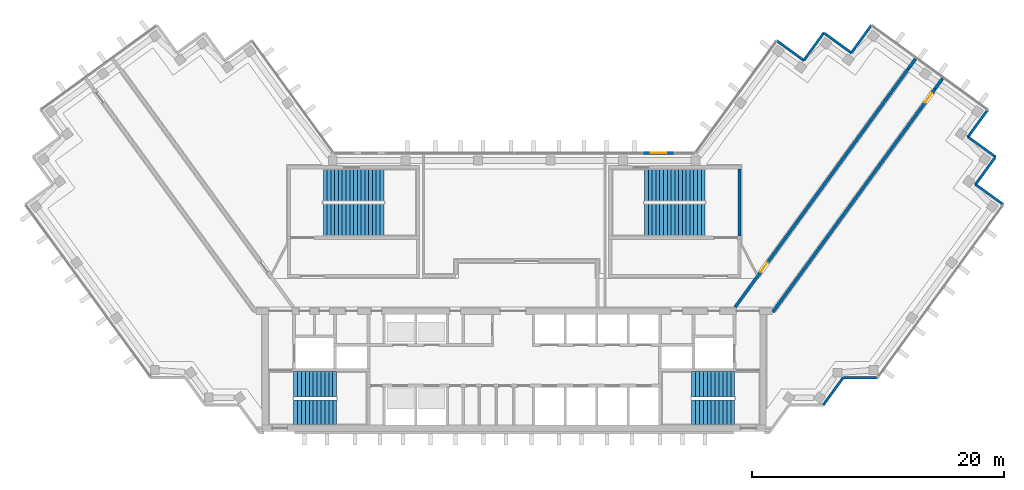
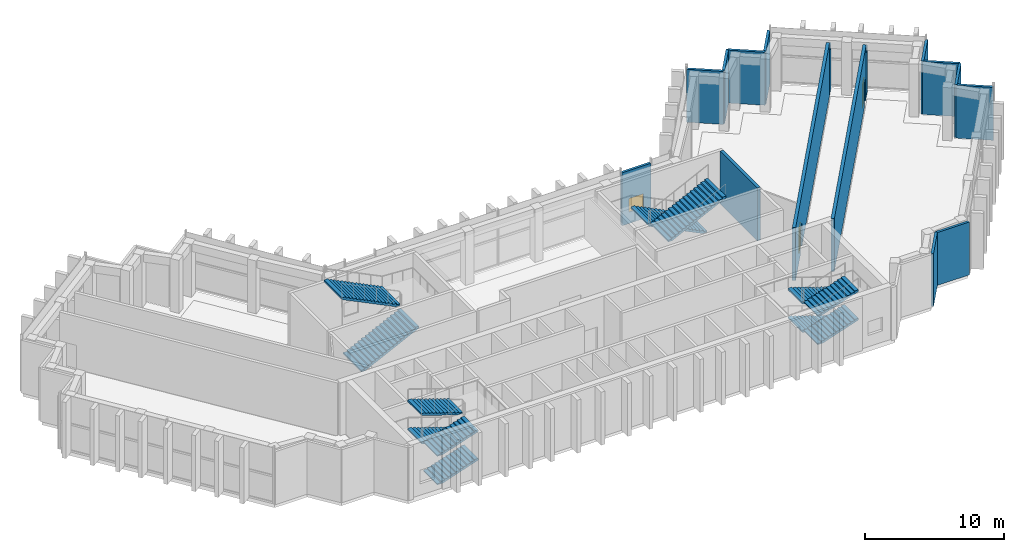
# One storey, part 11 of 14: 16 walls, 12 stair flights, 2 doors, 1 window, 3 openings, 4 elements without a shape of their own.
"""IFC4 building model written with IfcOpenShell, lengths in metres."""

from ifc_helpers import new_model, si_unit, direction, frame, frame_2d, origin, place, context, subcontext, project, spatial, polyline, rectangle, outline, extrude, material, layer, layer_set, type_object, element, fill, aggregate, save


model = new_model("IFC4")

# Units and contexts
model_context = context("Model", 3, precision=1e-05, world=origin(), true_north=direction((0.0, 1.0)))
body_context = subcontext(model_context, "Body", "Model", "MODEL_VIEW")
ifc_project = project(units=[si_unit("LENGTHUNIT", "METRE"), si_unit("AREAUNIT", "SQUARE_METRE"), si_unit("VOLUMEUNIT", "CUBIC_METRE"), si_unit("PLANEANGLEUNIT", "RADIAN"), si_unit("MASSUNIT", "GRAM", prefix="KILO")], contexts=[model_context])

# Site, building, storey
site_placement = place(None, origin())
site = spatial("IfcSite", under=ifc_project, at=site_placement, CompositionType="ELEMENT")
building_placement = place(site_placement, origin())
building = spatial("IfcBuilding", under=site, at=building_placement, Name="Quipu Civic Tower", CompositionType="ELEMENT")
storey_placement = place(building_placement, frame((0.0, 0.0, 248.0)))
storey = spatial("IfcBuildingStorey", under=building, at=storey_placement, Name="L58", CompositionType="ELEMENT", Elevation=248.0)

# Wall
ifc_material_1 = material(Name="Concrete C70/85", Category="concrete")
ifc_layer_1 = layer(ifc_material_1, 0.25)
ifc_layer_set_1 = layer_set([ifc_layer_1], Name="Concrete C70/85")
wall_type_1 = type_object("IfcWallType", Name="Core wall 250", PredefinedType="SHEAR", material=ifc_layer_set_1)
wall_1_placement = place(storey_placement, frame((17.875, 4.5, 0.0), z_axis=(0.0, 0.0, 1.0), x_axis=(0.0, 1.0, 0.0)))
element("IfcWall", 1, at=wall_1_placement, inside=storey, type_object=wall_type_1, Name="Core wall", PredefinedType="SHEAR", context=body_context, shape_type="SweptSolid", body=[
    extrude(rectangle(XDim=5.35009765625, YDim=0.25, at=frame_2d((2.675048828125, 0.0))), origin(), (0.0, 0.0, 1.0), 4.64990234375),
])

# Wall, opening, door
ifc_material_2 = material(Name="Concrete C50/60", Category="concrete")
ifc_layer_2 = layer(ifc_material_2, 0.25)
ifc_layer_set_2 = layer_set([ifc_layer_2], Name="Concrete C50/60")
wall_type_2 = type_object("IfcWallType", Name="Corridor wall 250 concrete", PredefinedType="SOLIDWALL", material=ifc_layer_set_2)
wall_2_placement = place(storey_placement, frame((17.544921875, -1.124755859375, 0.0), z_axis=(0.0, 0.0, 1.0), x_axis=(0.587787966774, 0.809015022181, 0.0)))
wall_2 = element("IfcWall", 2, at=wall_2_placement, inside=storey, type_object=wall_type_2, Name="Corridor wall C02", PredefinedType="SOLIDWALL", context=body_context, shape_type="SweptSolid", body=[
    extrude(rectangle(XDim=23.344970703125, YDim=0.25, at=frame_2d((11.67236328125, 0.0))), origin(), (0.0, 0.0, 1.0), 4.64990234375),
])
opening_1_placement = place(wall_2_placement, frame((3.44140625, 0.0, 0.0)))
opening_1 = element("IfcOpeningElement", 3, at=opening_1_placement, cuts=wall_2, Name="Opening D001", PredefinedType="OPENING", context=body_context, shape_type="SweptSolid", body=[
    extrude(rectangle(XDim=0.89990234375, YDim=2.10009765625, at=frame_2d((0.449951171875, 1.050048828125))), frame((0.0, 0.135009765625, 0.0), z_axis=(0.0, -1.0, 0.0), x_axis=(1.0, 0.0, 0.0)), (0.0, 0.0, 1.0), 0.27001953125),
])
ifc_material_3 = material(Name="Fire rated timber door set with metal frame", Category="wood")
door_type = type_object("IfcDoorType", Name="Single door 900 x 2100 FD60", OperationType="NOTDEFINED", PredefinedType="DOOR", material=ifc_material_3)
door_1_placement = place(opening_1_placement, origin())
door_1 = element("IfcDoor", 4, at=door_1_placement, inside=storey, type_object=door_type, Name="Door D001", OperationType="SINGLE_SWING_LEFT", OverallHeight=2.10009765625, OverallWidth=0.89990234375, PredefinedType="DOOR", context=body_context, shape_type="SweptSolid", body=[
    extrude(rectangle(XDim=0.89990234375, YDim=2.10009765625, at=frame_2d((0.449951171875, 1.050048828125))), frame((0.0, 0.02490234375, 0.0), z_axis=(0.0, -1.0, 0.0), x_axis=(1.0, 0.0, 0.0)), (0.0, 0.0, 1.0), 0.050048828125),
])
fill(opening_1, door_1)

wall_3_placement = place(storey_placement, frame((33.41015625, 16.203125, 0.0), z_axis=(0.0, 0.0, 1.0), x_axis=(-0.587786711753, -0.809015934013, 0.0)))
wall_3 = element("IfcWall", 5, at=wall_3_placement, inside=storey, type_object=wall_type_2, Name="Corridor wall C03", PredefinedType="SOLIDWALL", context=body_context, shape_type="SweptSolid", body=[
    extrude(rectangle(XDim=21.911376953125, YDim=0.25, at=frame_2d((10.95556640625, 0.0))), origin(), (0.0, 0.0, 1.0), 4.64990234375),
])
opening_2_placement = place(wall_3_placement, frame((0.440673828125, 0.0, 0.0)))
opening_2 = element("IfcOpeningElement", 6, at=opening_2_placement, cuts=wall_3, Name="Opening D002", PredefinedType="OPENING", context=body_context, shape_type="SweptSolid", body=[
    extrude(rectangle(XDim=0.89990234375, YDim=2.10009765625, at=frame_2d((0.449951171875, 1.050048828125))), frame((0.0, 0.135009765625, 0.0), z_axis=(0.0, -1.0, 0.0), x_axis=(1.0, 0.0, 0.0)), (0.0, 0.0, 1.0), 0.27001953125),
])
door_2_placement = place(opening_2_placement, origin())
door_2 = element("IfcDoor", 7, at=door_2_placement, inside=storey, type_object=door_type, Name="Door D002", OperationType="SINGLE_SWING_LEFT", OverallHeight=2.10009765625, OverallWidth=0.89990234375, PredefinedType="DOOR", context=body_context, shape_type="SweptSolid", body=[
    extrude(rectangle(XDim=0.89990234375, YDim=2.10009765625, at=frame_2d((0.449951171875, 1.050048828125))), frame((0.0, 0.02490234375, 0.0), z_axis=(0.0, -1.0, 0.0), x_axis=(1.0, 0.0, 0.0)), (0.0, 0.0, 1.0), 0.050048828125),
])
fill(opening_2, door_2)

# Walls
wall_4_placement = place(storey_placement, frame((31.266845703125, 17.76171875, 0.0), z_axis=(0.0, 0.0, 1.0), x_axis=(0.587840411638, 0.808976915892, 0.0)))
element("IfcWall", 8, at=wall_4_placement, inside=storey, type_object=wall_type_2, Name="Corridor wall C02", PredefinedType="SOLIDWALL", context=body_context, shape_type="SweptSolid", body=[
    extrude(rectangle(XDim=1.008056640625, YDim=0.25, at=frame_2d((0.50390625, 0.0))), origin(), (0.0, 0.0, 1.0), 3.949951171875),
])
wall_5_placement = place(storey_placement, frame((33.41015625, 16.203125, 0.0), z_axis=(0.0, 0.0, 1.0), x_axis=(0.587696850957, 0.809081214326, 0.0)))
element("IfcWall", 9, at=wall_5_placement, inside=storey, type_object=wall_type_2, Name="Corridor wall C03", PredefinedType="SOLIDWALL", context=body_context, shape_type="SweptSolid", body=[
    extrude(rectangle(XDim=1.009033203125, YDim=0.25, at=frame_2d((0.50439453125, 0.0))), origin(), (0.0, 0.0, 1.0), 3.949951171875),
])
ifc_material_4 = material(Name="Precast concrete C40/50", Category="concrete")
wall_type_3 = type_object("IfcWallType", Name="Precast cladding wall", PredefinedType="SOLIDWALL", material=ifc_material_4)
wall_6_placement = place(storey_placement, frame((24.533203125, -8.90869140625, 0.0), z_axis=(0.0, 0.0, 1.0), x_axis=(0.587720002413, 0.809064397168, 0.0)))
element("IfcWall", 10, at=wall_6_placement, inside=storey, type_object=wall_type_3, Name="Precast cladding wall L58 21", PredefinedType="SOLIDWALL", context=body_context, shape_type="SweptSolid", body=[
    extrude(rectangle(XDim=2.7001953125, YDim=0.199951171875, at=frame_2d((1.35009765625, 0.0))), origin(), (0.0, 0.0, 1.0), 4.64990234375),
])
for number, where, z_axis, x_axis, name in (
    (11, (26.1298828125, -6.71923828125, 0.0), (0.0, 0.0, 1.0), (1.0, 0.0, 0.0), "Precast cladding wall L58 22"),
    (12, (38.813720703125, 7.010498046875, 0.0), (0.0, 0.0, 1.0), (-0.809033161865, 0.587762999008, 0.0), "Precast cladding wall L58 24"),
    (13, (36.60205078125, 8.580322265625, 0.0), (0.0, 0.0, 1.0), (0.587822180636, 0.808990163075, 0.0), "Precast cladding wall L58 25"),
    (14, (38.21630859375, 10.78173828125, 0.0), (0.0, 0.0, 1.0), (-0.809033161865, 0.587762999008, 0.0), "Precast cladding wall L58 26"),
    (15, (36.0048828125, 12.3515625, 0.0), (0.0, 0.0, 1.0), (0.587762999008, 0.809033161865, 0.0), "Precast cladding wall L58 27"),
):
    element("IfcWall", number, at=place(storey_placement, frame(where, z_axis=z_axis, x_axis=x_axis)), inside=storey, type_object=wall_type_3, Name=name, PredefinedType="SOLIDWALL", context=body_context, shape_type="SweptSolid", body=[
        extrude(rectangle(XDim=2.699951171875, YDim=0.199951171875, at=frame_2d((1.35009765625, 0.0))), origin(), (0.0, 0.0, 1.0), 4.64990234375),
    ])
for number, where, z_axis, x_axis, name in (
    (16, (28.3544921875, 21.247314453125, 0.0), (0.0, 0.0, 1.0), (-0.587720002413, -0.809064397168, 0.0), "Precast cladding wall L58 29"),
    (17, (26.78466796875, 19.03564453125, 0.0), (0.0, 0.0, 1.0), (-0.809064397168, 0.587720002413, 0.0), "Precast cladding wall L58 30"),
):
    element("IfcWall", number, at=place(storey_placement, frame(where, z_axis=z_axis, x_axis=x_axis)), inside=storey, type_object=wall_type_3, Name=name, PredefinedType="SOLIDWALL", context=body_context, shape_type="SweptSolid", body=[
        extrude(rectangle(XDim=2.7001953125, YDim=0.199951171875, at=frame_2d((1.35009765625, 0.0))), origin(), (0.0, 0.0, 1.0), 4.64990234375),
    ])
for number, where, z_axis, x_axis, name in (
    (18, (24.583251953125, 20.64990234375, 0.0), (0.0, 0.0, 1.0), (-0.587762999008, -0.809033161865, 0.0), "Precast cladding wall L58 31"),
    (19, (23.01318359375, 18.438232421875, 0.0), (0.0, 0.0, 1.0), (-0.808990163075, 0.587822180636, 0.0), "Precast cladding wall L58 32"),
):
    element("IfcWall", number, at=place(storey_placement, frame(where, z_axis=z_axis, x_axis=x_axis)), inside=storey, type_object=wall_type_3, Name=name, PredefinedType="SOLIDWALL", context=body_context, shape_type="SweptSolid", body=[
        extrude(rectangle(XDim=2.699951171875, YDim=0.199951171875, at=frame_2d((1.35009765625, 0.0))), origin(), (0.0, 0.0, 1.0), 4.64990234375),
    ])

# Wall, opening, window
wall_7_placement = place(storey_placement, frame((12.655029296875, 11.10009765625, 0.0), z_axis=(0.0, 0.0, 1.0), x_axis=(-1.0, 0.0, 0.0)))
wall_7 = element("IfcWall", 20, at=wall_7_placement, inside=storey, type_object=wall_type_3, Name="Vent surround SF-L58-2", PredefinedType="SOLIDWALL", context=body_context, shape_type="SweptSolid", body=[
    extrude(rectangle(XDim=2.3916015625, YDim=0.199951171875, at=frame_2d((1.19580078125, 0.0))), origin(), (0.0, 0.0, 1.0), 4.64990234375),
])
opening_3_placement = place(wall_7_placement, frame((0.595703125, 0.0, 1.0)))
opening_3 = element("IfcOpeningElement", 21, at=opening_3_placement, cuts=wall_7, Name="Opening SF-L58-2", PredefinedType="OPENING", context=body_context, shape_type="SweptSolid", body=[
    extrude(rectangle(XDim=1.199951171875, YDim=1.199951171875, at=frame_2d((0.60009765625, 0.60009765625))), frame((0.0, 0.10986328125, 0.0), z_axis=(0.0, -1.0, 0.0), x_axis=(1.0, 0.0, 0.0)), (0.0, 0.0, 1.0), 0.219970703125),
])
ifc_material_5 = material(Name="Anodised aluminium louvre", Category="aluminium")
window_type = type_object("IfcWindowType", Name="Stair vent louvre window P3", PartitioningType="SINGLE_PANEL", PredefinedType="WINDOW", material=ifc_material_5)
window_placement = place(opening_3_placement, origin())
window = element("IfcWindow", 22, at=window_placement, inside=storey, type_object=window_type, Name="Stair vent louvre SF-L58-2", OverallHeight=1.199951171875, OverallWidth=1.199951171875, PartitioningType="SINGLE_PANEL", PredefinedType="WINDOW", context=body_context, shape_type="SweptSolid", body=[
    extrude(rectangle(XDim=1.199951171875, YDim=1.199951171875, at=frame_2d((0.60009765625, 0.60009765625))), frame((0.0, 0.030029296875, 0.0), z_axis=(0.0, -1.0, 0.0), x_axis=(1.0, 0.0, 0.0)), (0.0, 0.0, 1.0), 0.06005859375),
])
fill(opening_3, window)

# Stair, stair flights
ifc_material_6 = material(Name="Concrete C40/50", Category="concrete")
stair_type_1 = type_object("IfcStairType", Name="Half turn stair 2000", PredefinedType="HALF_TURN_STAIR", material=ifc_material_6)
stair_1_placement = place(storey_placement, origin())
stair_1 = element("IfcStair", 23, at=stair_1_placement, inside=storey, type_object=stair_type_1, Name="Exit stair 1", PredefinedType="HALF_TURN_STAIR")
ifc_material_7 = material(Name="Concrete C40/50", Category="concrete")
stair_flight_type_1 = type_object("IfcStairFlightType", Name="Stair flight 2000", PredefinedType="STRAIGHT", material=ifc_material_7)
stair_flight_1_placement = place(storey_placement, frame((-17.5, -9.5, 0.0), z_axis=(0.0, 0.0, 1.0), x_axis=(1.0, 0.0, 0.0)))
stair_flight_1 = element("IfcStairFlight", 24, at=stair_flight_1_placement, type_object=stair_flight_type_1, Name="ST-1 flight 1", NumberOfRisers=12, NumberOfTreads=11, PredefinedType="STRAIGHT", RiserHeight=0.104166667, TreadLength=0.31, context=body_context, shape_type="SweptSolid", body=[
    extrude(outline(polyline([(0.0, 0.0), (0.0, 0.104248046875), (0.31005859375, 0.104248046875), (0.31005859375, 0.208251953125), (0.6201171875, 0.208251953125), (0.6201171875, 0.3125), (0.929931640625, 0.3125), (0.929931640625, 0.416748046875), (1.239990234375, 0.416748046875), (1.239990234375, 0.520751953125), (1.550048828125, 0.520751953125), (1.550048828125, 0.625), (1.860107421875, 0.625), (1.860107421875, 0.729248046875), (2.169921875, 0.729248046875), (2.169921875, 0.833251953125), (2.47998046875, 0.833251953125), (2.47998046875, 0.9375), (2.7900390625, 0.9375), (2.7900390625, 1.041748046875), (3.10009765625, 1.041748046875), (3.10009765625, 1.145751953125), (3.409912109375, 1.145751953125), (3.409912109375, 1.25), (3.409912109375, 0.98779296875), (0.470703125, 0.0), (0.0, 0.0)])), frame((0.0, 1.0, 0.0), z_axis=(0.0, -1.0, 0.0), x_axis=(1.0, 0.0, 0.0)), (0.0, 0.0, 1.0), 2.0),
])
stair_flight_2_placement = place(storey_placement, frame((-14.090087890625, -7.25, 1.25), z_axis=(0.0, 0.0, 1.0), x_axis=(-1.0, 0.0, 0.0)))
stair_flight_2 = element("IfcStairFlight", 25, at=stair_flight_2_placement, type_object=stair_flight_type_1, Name="ST-1 flight 2", NumberOfRisers=12, NumberOfTreads=11, PredefinedType="STRAIGHT", RiserHeight=0.104166667, TreadLength=0.31, context=body_context, shape_type="SweptSolid", body=[
    extrude(outline(polyline([(0.0, 0.0), (0.0, 0.104248046875), (0.31005859375, 0.104248046875), (0.31005859375, 0.208251953125), (0.6201171875, 0.208251953125), (0.6201171875, 0.3125), (0.929931640625, 0.3125), (0.929931640625, 0.416748046875), (1.239990234375, 0.416748046875), (1.239990234375, 0.520751953125), (1.550048828125, 0.520751953125), (1.550048828125, 0.625), (1.860107421875, 0.625), (1.860107421875, 0.729248046875), (2.169921875, 0.729248046875), (2.169921875, 0.833251953125), (2.47998046875, 0.833251953125), (2.47998046875, 0.9375), (2.7900390625, 0.9375), (2.7900390625, 1.041748046875), (3.10009765625, 1.041748046875), (3.10009765625, 1.145751953125), (3.409912109375, 1.145751953125), (3.409912109375, 1.25), (3.409912109375, 0.98779296875), (0.470703125, 0.0), (0.0, 0.0)])), frame((0.0, 1.0, 0.0), z_axis=(0.0, -1.0, 0.0), x_axis=(1.0, 0.0, 0.0)), (0.0, 0.0, 1.0), 2.0),
])
stair_flight_3_placement = place(storey_placement, frame((-17.5, -9.5, 2.5), z_axis=(0.0, 0.0, 1.0), x_axis=(1.0, 0.0, 0.0)))
stair_flight_3 = element("IfcStairFlight", 26, at=stair_flight_3_placement, type_object=stair_flight_type_1, Name="ST-1 flight 3", NumberOfRisers=12, NumberOfTreads=11, PredefinedType="STRAIGHT", RiserHeight=0.104166667, TreadLength=0.31, context=body_context, shape_type="SweptSolid", body=[
    extrude(outline(polyline([(0.0, 0.0), (0.0, 0.104248046875), (0.31005859375, 0.104248046875), (0.31005859375, 0.208251953125), (0.6201171875, 0.208251953125), (0.6201171875, 0.3125), (0.929931640625, 0.3125), (0.929931640625, 0.416748046875), (1.239990234375, 0.416748046875), (1.239990234375, 0.520751953125), (1.550048828125, 0.520751953125), (1.550048828125, 0.625), (1.860107421875, 0.625), (1.860107421875, 0.729248046875), (2.169921875, 0.729248046875), (2.169921875, 0.833251953125), (2.47998046875, 0.833251953125), (2.47998046875, 0.9375), (2.7900390625, 0.9375), (2.7900390625, 1.041748046875), (3.10009765625, 1.041748046875), (3.10009765625, 1.145751953125), (3.409912109375, 1.145751953125), (3.409912109375, 1.25), (3.409912109375, 0.98779296875), (0.470703125, 0.0), (0.0, 0.0)])), frame((0.0, 1.0, 0.0), z_axis=(0.0, -1.0, 0.0), x_axis=(1.0, 0.0, 0.0)), (0.0, 0.0, 1.0), 2.0),
])
stair_flight_4_placement = place(storey_placement, frame((-14.090087890625, -7.25, 3.75), z_axis=(0.0, 0.0, 1.0), x_axis=(-1.0, 0.0, 0.0)))
stair_flight_4 = element("IfcStairFlight", 27, at=stair_flight_4_placement, type_object=stair_flight_type_1, Name="ST-1 flight 4", NumberOfRisers=12, NumberOfTreads=11, PredefinedType="STRAIGHT", RiserHeight=0.104166667, TreadLength=0.31, context=body_context, shape_type="SweptSolid", body=[
    extrude(outline(polyline([(0.0, 0.0), (0.0, 0.104248046875), (0.31005859375, 0.104248046875), (0.31005859375, 0.208251953125), (0.6201171875, 0.208251953125), (0.6201171875, 0.3125), (0.929931640625, 0.3125), (0.929931640625, 0.416748046875), (1.239990234375, 0.416748046875), (1.239990234375, 0.520751953125), (1.550048828125, 0.520751953125), (1.550048828125, 0.625), (1.860107421875, 0.625), (1.860107421875, 0.729248046875), (2.169921875, 0.729248046875), (2.169921875, 0.833251953125), (2.47998046875, 0.833251953125), (2.47998046875, 0.9375), (2.7900390625, 0.9375), (2.7900390625, 1.041748046875), (3.10009765625, 1.041748046875), (3.10009765625, 1.145751953125), (3.409912109375, 1.145751953125), (3.409912109375, 1.25), (3.409912109375, 0.98779296875), (0.470703125, 0.0), (0.0, 0.0)])), frame((0.0, 1.0, 0.0), z_axis=(0.0, -1.0, 0.0), x_axis=(1.0, 0.0, 0.0)), (0.0, 0.0, 1.0), 2.0),
])
aggregate(stair_1, [stair_flight_1, stair_flight_2, stair_flight_3, stair_flight_4])

stair_2_placement = place(storey_placement, origin())
stair_2 = element("IfcStair", 28, at=stair_2_placement, inside=storey, type_object=stair_type_1, Name="Exit stair 2", PredefinedType="HALF_TURN_STAIR")
stair_flight_5_placement = place(storey_placement, frame((17.5, -7.25, 0.0), z_axis=(0.0, 0.0, 1.0), x_axis=(-1.0, 0.0, 0.0)))
stair_flight_5 = element("IfcStairFlight", 29, at=stair_flight_5_placement, type_object=stair_flight_type_1, Name="ST-2 flight 1", NumberOfRisers=12, NumberOfTreads=11, PredefinedType="STRAIGHT", RiserHeight=0.104166667, TreadLength=0.31, context=body_context, shape_type="SweptSolid", body=[
    extrude(outline(polyline([(0.0, 0.0), (0.0, 0.104248046875), (0.31005859375, 0.104248046875), (0.31005859375, 0.208251953125), (0.6201171875, 0.208251953125), (0.6201171875, 0.3125), (0.929931640625, 0.3125), (0.929931640625, 0.416748046875), (1.239990234375, 0.416748046875), (1.239990234375, 0.520751953125), (1.550048828125, 0.520751953125), (1.550048828125, 0.625), (1.860107421875, 0.625), (1.860107421875, 0.729248046875), (2.169921875, 0.729248046875), (2.169921875, 0.833251953125), (2.47998046875, 0.833251953125), (2.47998046875, 0.9375), (2.7900390625, 0.9375), (2.7900390625, 1.041748046875), (3.10009765625, 1.041748046875), (3.10009765625, 1.145751953125), (3.409912109375, 1.145751953125), (3.409912109375, 1.25), (3.409912109375, 0.98779296875), (0.470703125, 0.0), (0.0, 0.0)])), frame((0.0, 1.0, 0.0), z_axis=(0.0, -1.0, 0.0), x_axis=(1.0, 0.0, 0.0)), (0.0, 0.0, 1.0), 2.0),
])
stair_flight_6_placement = place(storey_placement, frame((14.090087890625, -9.5, 1.25), z_axis=(0.0, 0.0, 1.0), x_axis=(1.0, 0.0, 0.0)))
stair_flight_6 = element("IfcStairFlight", 30, at=stair_flight_6_placement, type_object=stair_flight_type_1, Name="ST-2 flight 2", NumberOfRisers=12, NumberOfTreads=11, PredefinedType="STRAIGHT", RiserHeight=0.104166667, TreadLength=0.31, context=body_context, shape_type="SweptSolid", body=[
    extrude(outline(polyline([(0.0, 0.0), (0.0, 0.104248046875), (0.31005859375, 0.104248046875), (0.31005859375, 0.208251953125), (0.6201171875, 0.208251953125), (0.6201171875, 0.3125), (0.929931640625, 0.3125), (0.929931640625, 0.416748046875), (1.239990234375, 0.416748046875), (1.239990234375, 0.520751953125), (1.550048828125, 0.520751953125), (1.550048828125, 0.625), (1.860107421875, 0.625), (1.860107421875, 0.729248046875), (2.169921875, 0.729248046875), (2.169921875, 0.833251953125), (2.47998046875, 0.833251953125), (2.47998046875, 0.9375), (2.7900390625, 0.9375), (2.7900390625, 1.041748046875), (3.10009765625, 1.041748046875), (3.10009765625, 1.145751953125), (3.409912109375, 1.145751953125), (3.409912109375, 1.25), (3.409912109375, 0.98779296875), (0.470703125, 0.0), (0.0, 0.0)])), frame((0.0, 1.0, 0.0), z_axis=(0.0, -1.0, 0.0), x_axis=(1.0, 0.0, 0.0)), (0.0, 0.0, 1.0), 2.0),
])
stair_flight_7_placement = place(storey_placement, frame((17.5, -7.25, 2.5), z_axis=(0.0, 0.0, 1.0), x_axis=(-1.0, 0.0, 0.0)))
stair_flight_7 = element("IfcStairFlight", 31, at=stair_flight_7_placement, type_object=stair_flight_type_1, Name="ST-2 flight 3", NumberOfRisers=12, NumberOfTreads=11, PredefinedType="STRAIGHT", RiserHeight=0.104166667, TreadLength=0.31, context=body_context, shape_type="SweptSolid", body=[
    extrude(outline(polyline([(0.0, 0.0), (0.0, 0.104248046875), (0.31005859375, 0.104248046875), (0.31005859375, 0.208251953125), (0.6201171875, 0.208251953125), (0.6201171875, 0.3125), (0.929931640625, 0.3125), (0.929931640625, 0.416748046875), (1.239990234375, 0.416748046875), (1.239990234375, 0.520751953125), (1.550048828125, 0.520751953125), (1.550048828125, 0.625), (1.860107421875, 0.625), (1.860107421875, 0.729248046875), (2.169921875, 0.729248046875), (2.169921875, 0.833251953125), (2.47998046875, 0.833251953125), (2.47998046875, 0.9375), (2.7900390625, 0.9375), (2.7900390625, 1.041748046875), (3.10009765625, 1.041748046875), (3.10009765625, 1.145751953125), (3.409912109375, 1.145751953125), (3.409912109375, 1.25), (3.409912109375, 0.98779296875), (0.470703125, 0.0), (0.0, 0.0)])), frame((0.0, 1.0, 0.0), z_axis=(0.0, -1.0, 0.0), x_axis=(1.0, 0.0, 0.0)), (0.0, 0.0, 1.0), 2.0),
])
stair_flight_8_placement = place(storey_placement, frame((14.090087890625, -9.5, 3.75), z_axis=(0.0, 0.0, 1.0), x_axis=(1.0, 0.0, 0.0)))
stair_flight_8 = element("IfcStairFlight", 32, at=stair_flight_8_placement, type_object=stair_flight_type_1, Name="ST-2 flight 4", NumberOfRisers=12, NumberOfTreads=11, PredefinedType="STRAIGHT", RiserHeight=0.104166667, TreadLength=0.31, context=body_context, shape_type="SweptSolid", body=[
    extrude(outline(polyline([(0.0, 0.0), (0.0, 0.104248046875), (0.31005859375, 0.104248046875), (0.31005859375, 0.208251953125), (0.6201171875, 0.208251953125), (0.6201171875, 0.3125), (0.929931640625, 0.3125), (0.929931640625, 0.416748046875), (1.239990234375, 0.416748046875), (1.239990234375, 0.520751953125), (1.550048828125, 0.520751953125), (1.550048828125, 0.625), (1.860107421875, 0.625), (1.860107421875, 0.729248046875), (2.169921875, 0.729248046875), (2.169921875, 0.833251953125), (2.47998046875, 0.833251953125), (2.47998046875, 0.9375), (2.7900390625, 0.9375), (2.7900390625, 1.041748046875), (3.10009765625, 1.041748046875), (3.10009765625, 1.145751953125), (3.409912109375, 1.145751953125), (3.409912109375, 1.25), (3.409912109375, 0.98779296875), (0.470703125, 0.0), (0.0, 0.0)])), frame((0.0, 1.0, 0.0), z_axis=(0.0, -1.0, 0.0), x_axis=(1.0, 0.0, 0.0)), (0.0, 0.0, 1.0), 2.0),
])
aggregate(stair_2, [stair_flight_5, stair_flight_6, stair_flight_7, stair_flight_8])

ifc_material_8 = material(Name="Concrete C40/50", Category="concrete")
stair_type_2 = type_object("IfcStairType", Name="Half turn stair 2600", PredefinedType="HALF_TURN_STAIR", material=ifc_material_8)
stair_3_placement = place(storey_placement, origin())
stair_3 = element("IfcStair", 33, at=stair_3_placement, inside=storey, type_object=stair_type_2, Name="Exit stair 3", PredefinedType="HALF_TURN_STAIR")
ifc_material_9 = material(Name="Concrete C40/50", Category="concrete")
stair_flight_type_2 = type_object("IfcStairFlightType", Name="Stair flight 2600", PredefinedType="STRAIGHT", material=ifc_material_9)
stair_flight_9_placement = place(storey_placement, frame((-15.14990234375, 5.800048828125, 0.0), z_axis=(0.0, 0.0, 1.0), x_axis=(1.0, 0.0, 0.0)))
stair_flight_9 = element("IfcStairFlight", 34, at=stair_flight_9_placement, type_object=stair_flight_type_2, Name="ST-3 flight 1", NumberOfRisers=17, NumberOfTreads=16, PredefinedType="STRAIGHT", RiserHeight=0.147058824, TreadLength=0.3, context=body_context, shape_type="SweptSolid", body=[
    extrude(outline(polyline([(0.0, 0.0), (0.0, 0.14697265625), (0.300048828125, 0.14697265625), (0.300048828125, 0.294189453125), (0.60009765625, 0.294189453125), (0.60009765625, 0.441162109375), (0.89990234375, 0.441162109375), (0.89990234375, 0.588134765625), (1.199951171875, 0.588134765625), (1.199951171875, 0.7353515625), (1.5, 0.7353515625), (1.5, 0.88232421875), (1.800048828125, 0.88232421875), (1.800048828125, 1.029296875), (2.10009765625, 1.029296875), (2.10009765625, 1.176513671875), (2.39990234375, 1.176513671875), (2.39990234375, 1.323486328125), (2.699951171875, 1.323486328125), (2.699951171875, 1.470703125), (3.0, 1.470703125), (3.0, 1.61767578125), (3.300048828125, 1.61767578125), (3.300048828125, 1.7646484375), (3.60009765625, 1.7646484375), (3.60009765625, 1.911865234375), (3.89990234375, 1.911865234375), (3.89990234375, 2.058837890625), (4.199951171875, 2.058837890625), (4.199951171875, 2.205810546875), (4.5, 2.205810546875), (4.5, 2.35302734375), (4.800048828125, 2.35302734375), (4.800048828125, 2.5), (4.800048828125, 2.18603515625), (0.340576171875, 0.0), (0.0, 0.0)])), frame((0.0, 1.300048828125, 0.0), z_axis=(0.0, -1.0, 0.0), x_axis=(1.0, 0.0, 0.0)), (0.0, 0.0, 1.0), 2.60009765625),
])
stair_flight_10_placement = place(storey_placement, frame((-10.35009765625, 8.550048828125, 2.5), z_axis=(0.0, 0.0, 1.0), x_axis=(-1.0, 0.0, 0.0)))
stair_flight_10 = element("IfcStairFlight", 35, at=stair_flight_10_placement, type_object=stair_flight_type_2, Name="ST-3 flight 2", NumberOfRisers=17, NumberOfTreads=16, PredefinedType="STRAIGHT", RiserHeight=0.147058824, TreadLength=0.3, context=body_context, shape_type="SweptSolid", body=[
    extrude(outline(polyline([(0.0, 0.0), (0.0, 0.14697265625), (0.300048828125, 0.14697265625), (0.300048828125, 0.294189453125), (0.60009765625, 0.294189453125), (0.60009765625, 0.441162109375), (0.89990234375, 0.441162109375), (0.89990234375, 0.588134765625), (1.199951171875, 0.588134765625), (1.199951171875, 0.7353515625), (1.5, 0.7353515625), (1.5, 0.88232421875), (1.800048828125, 0.88232421875), (1.800048828125, 1.029296875), (2.10009765625, 1.029296875), (2.10009765625, 1.176513671875), (2.39990234375, 1.176513671875), (2.39990234375, 1.323486328125), (2.699951171875, 1.323486328125), (2.699951171875, 1.470703125), (3.0, 1.470703125), (3.0, 1.61767578125), (3.300048828125, 1.61767578125), (3.300048828125, 1.7646484375), (3.60009765625, 1.7646484375), (3.60009765625, 1.911865234375), (3.89990234375, 1.911865234375), (3.89990234375, 2.058837890625), (4.199951171875, 2.058837890625), (4.199951171875, 2.205810546875), (4.5, 2.205810546875), (4.5, 2.35302734375), (4.800048828125, 2.35302734375), (4.800048828125, 2.5), (4.800048828125, 2.18603515625), (0.340576171875, 0.0), (0.0, 0.0)])), frame((0.0, 1.300048828125, 0.0), z_axis=(0.0, -1.0, 0.0), x_axis=(1.0, 0.0, 0.0)), (0.0, 0.0, 1.0), 2.60009765625),
])
aggregate(stair_3, [stair_flight_9, stair_flight_10])

stair_4_placement = place(storey_placement, origin())
stair_4 = element("IfcStair", 36, at=stair_4_placement, inside=storey, type_object=stair_type_2, Name="Exit stair 4", PredefinedType="HALF_TURN_STAIR")
stair_flight_11_placement = place(storey_placement, frame((15.14990234375, 8.550048828125, 0.0), z_axis=(0.0, 0.0, 1.0), x_axis=(-1.0, 0.0, 0.0)))
stair_flight_11 = element("IfcStairFlight", 37, at=stair_flight_11_placement, type_object=stair_flight_type_2, Name="ST-4 flight 1", NumberOfRisers=17, NumberOfTreads=16, PredefinedType="STRAIGHT", RiserHeight=0.147058824, TreadLength=0.3, context=body_context, shape_type="SweptSolid", body=[
    extrude(outline(polyline([(0.0, 0.0), (0.0, 0.14697265625), (0.300048828125, 0.14697265625), (0.300048828125, 0.294189453125), (0.60009765625, 0.294189453125), (0.60009765625, 0.441162109375), (0.89990234375, 0.441162109375), (0.89990234375, 0.588134765625), (1.199951171875, 0.588134765625), (1.199951171875, 0.7353515625), (1.5, 0.7353515625), (1.5, 0.88232421875), (1.800048828125, 0.88232421875), (1.800048828125, 1.029296875), (2.10009765625, 1.029296875), (2.10009765625, 1.176513671875), (2.39990234375, 1.176513671875), (2.39990234375, 1.323486328125), (2.699951171875, 1.323486328125), (2.699951171875, 1.470703125), (3.0, 1.470703125), (3.0, 1.61767578125), (3.300048828125, 1.61767578125), (3.300048828125, 1.7646484375), (3.60009765625, 1.7646484375), (3.60009765625, 1.911865234375), (3.89990234375, 1.911865234375), (3.89990234375, 2.058837890625), (4.199951171875, 2.058837890625), (4.199951171875, 2.205810546875), (4.5, 2.205810546875), (4.5, 2.35302734375), (4.800048828125, 2.35302734375), (4.800048828125, 2.5), (4.800048828125, 2.18603515625), (0.340576171875, 0.0), (0.0, 0.0)])), frame((0.0, 1.300048828125, 0.0), z_axis=(0.0, -1.0, 0.0), x_axis=(1.0, 0.0, 0.0)), (0.0, 0.0, 1.0), 2.60009765625),
])
stair_flight_12_placement = place(storey_placement, frame((10.35009765625, 5.800048828125, 2.5), z_axis=(0.0, 0.0, 1.0), x_axis=(1.0, 0.0, 0.0)))
stair_flight_12 = element("IfcStairFlight", 38, at=stair_flight_12_placement, type_object=stair_flight_type_2, Name="ST-4 flight 2", NumberOfRisers=17, NumberOfTreads=16, PredefinedType="STRAIGHT", RiserHeight=0.147058824, TreadLength=0.3, context=body_context, shape_type="SweptSolid", body=[
    extrude(outline(polyline([(0.0, 0.0), (0.0, 0.14697265625), (0.300048828125, 0.14697265625), (0.300048828125, 0.294189453125), (0.60009765625, 0.294189453125), (0.60009765625, 0.441162109375), (0.89990234375, 0.441162109375), (0.89990234375, 0.588134765625), (1.199951171875, 0.588134765625), (1.199951171875, 0.7353515625), (1.5, 0.7353515625), (1.5, 0.88232421875), (1.800048828125, 0.88232421875), (1.800048828125, 1.029296875), (2.10009765625, 1.029296875), (2.10009765625, 1.176513671875), (2.39990234375, 1.176513671875), (2.39990234375, 1.323486328125), (2.699951171875, 1.323486328125), (2.699951171875, 1.470703125), (3.0, 1.470703125), (3.0, 1.61767578125), (3.300048828125, 1.61767578125), (3.300048828125, 1.7646484375), (3.60009765625, 1.7646484375), (3.60009765625, 1.911865234375), (3.89990234375, 1.911865234375), (3.89990234375, 2.058837890625), (4.199951171875, 2.058837890625), (4.199951171875, 2.205810546875), (4.5, 2.205810546875), (4.5, 2.35302734375), (4.800048828125, 2.35302734375), (4.800048828125, 2.5), (4.800048828125, 2.18603515625), (0.340576171875, 0.0), (0.0, 0.0)])), frame((0.0, 1.300048828125, 0.0), z_axis=(0.0, -1.0, 0.0), x_axis=(1.0, 0.0, 0.0)), (0.0, 0.0, 1.0), 2.60009765625),
])
aggregate(stair_4, [stair_flight_11, stair_flight_12])

save(model, "model.ifc")
